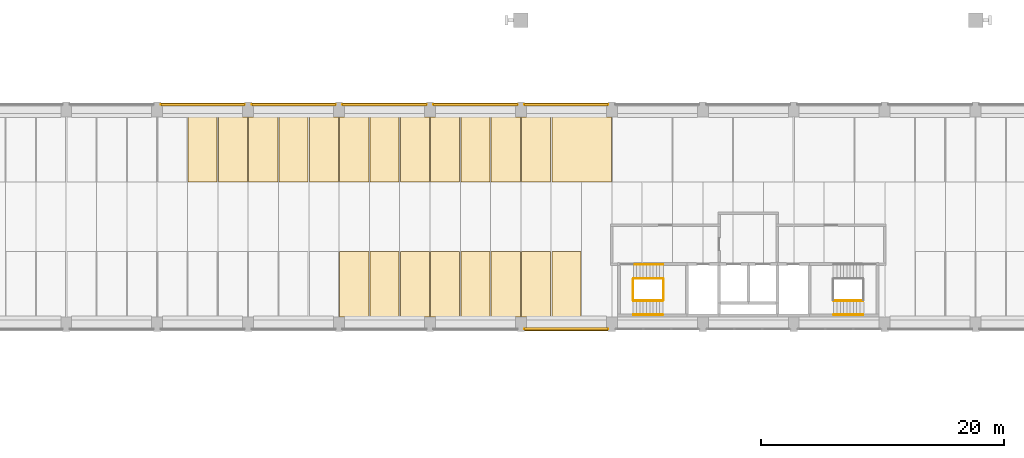
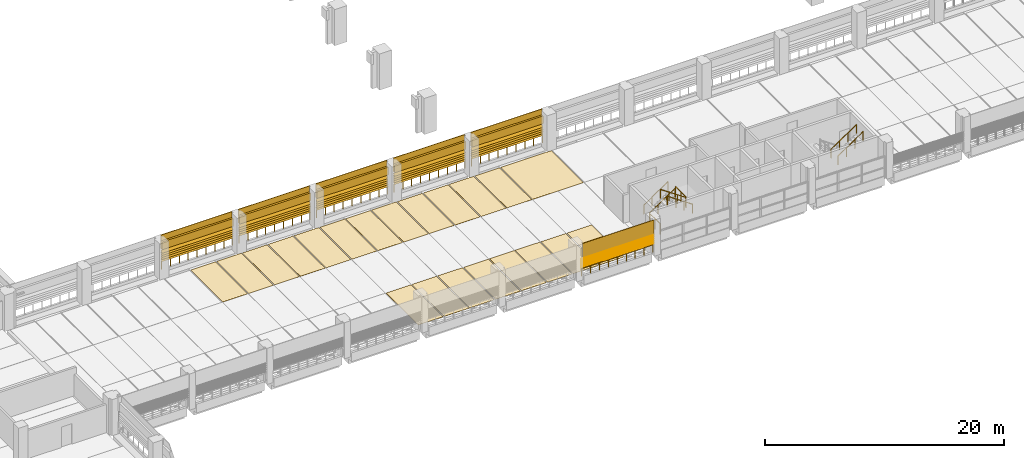
# One storey, part 41 of 57: 30 shading devices, 27 coverings, 14 railings.
"""IFC4 building model written with IfcOpenShell, lengths in metres."""

from ifc_helpers import new_model, si_unit, direction, frame, origin, origin_2d, place, context, subcontext, project, spatial, polyline, circle, outline, extrude, material, layer, layer_set, type_object, element, save


model = new_model("IFC4")

# Units and contexts
model_context = context("Model", 3, precision=1e-05, world=origin(), true_north=direction((0.0, 1.0)))
body_context = subcontext(model_context, "Body", "Model", "MODEL_VIEW")
ifc_project = project(units=[si_unit("LENGTHUNIT", "METRE"), si_unit("AREAUNIT", "SQUARE_METRE"), si_unit("VOLUMEUNIT", "CUBIC_METRE"), si_unit("PLANEANGLEUNIT", "RADIAN"), si_unit("MASSUNIT", "GRAM", prefix="KILO")], contexts=[model_context])

# Site, building, storey
site_placement = place(None, origin())
site = spatial("IfcSite", under=ifc_project, at=site_placement, CompositionType="ELEMENT")
building_placement = place(site_placement, origin())
building = spatial("IfcBuilding", under=site, at=building_placement, Name="Cour d'Honneur Mobility Palace", CompositionType="ELEMENT")
storey_placement = place(building_placement, frame((0.0, 0.0, 8.199951171875)))
storey = spatial("IfcBuildingStorey", under=building, at=storey_placement, Name="L02", CompositionType="ELEMENT", Elevation=8.199951171875)

# Covering
ifc_material_1 = material(Name="Accessible bay marking paint")
ifc_layer_1 = layer(ifc_material_1, 0.0048828125)
ifc_layer_set_1 = layer_set([ifc_layer_1], Name="Accessible bay marking paint")
covering_type_1 = type_object("IfcCoveringType", Name="Accessible parking bay marking", PredefinedType="FLOORING", material=ifc_layer_set_1)
covering_1_placement = place(storey_placement, origin())
element("IfcCovering", 1, at=covering_1_placement, inside=storey, type_object=covering_type_1, Name="Accessible parking bay marking L02 1", PredefinedType="FLOORING", context=body_context, shape_type="SweptSolid", body=[
    extrude(outline(polyline([(64.949951171875, 56.550048828125), (64.949951171875, 61.949951171875), (69.85009765625, 61.949951171875), (69.85009765625, 56.550048828125), (64.949951171875, 56.550048828125)])), origin(), (0.0, 0.0, 1.0), 0.005126953125),
])

# Railings
ifc_material_2 = material(Name="Painted steel", Category="steel")
railing_type_1 = type_object("IfcRailingType", Name="Balustrade", PredefinedType="BALUSTRADE", material=ifc_material_2)
railing_1_placement = place(storey_placement, frame((62.699951171875, 44.449951171875, 0.300048828125)))
element("IfcRailing", 2, at=railing_1_placement, inside=storey, type_object=railing_type_1, Name="Balustrade BAL-80", PredefinedType="BALUSTRADE", context=body_context, shape_type="SweptSolid", body=[
    extrude(circle(Radius=0.02392578125, at=origin_2d()), frame((0.0, 0.0, 0.77587890625), z_axis=(1.0, 0.0, 0.0), x_axis=(0.0, 1.0, 0.0)), (0.0, 0.0, 1.0), 6.900146484375),
    extrude(circle(Radius=0.02099609375, at=origin_2d()), origin(), (0.0, 0.0, 1.0), 0.751953125),
    extrude(circle(Radius=0.02099609375, at=origin_2d()), frame((0.862548828125, 0.0, 0.0)), (0.0, 0.0, 1.0), 0.751953125),
    extrude(circle(Radius=0.02099609375, at=origin_2d()), frame((1.72509765625, 0.0, 0.0)), (0.0, 0.0, 1.0), 0.751953125),
    extrude(circle(Radius=0.02099609375, at=origin_2d()), frame((2.587646484375, 0.0, 0.0)), (0.0, 0.0, 1.0), 0.751953125),
    extrude(circle(Radius=0.02099609375, at=origin_2d()), frame((3.4501953125, 0.0, 0.0)), (0.0, 0.0, 1.0), 0.751953125),
    extrude(circle(Radius=0.02099609375, at=origin_2d()), frame((4.3125, 0.0, 0.0)), (0.0, 0.0, 1.0), 0.751953125),
    extrude(circle(Radius=0.02099609375, at=origin_2d()), frame((5.175048828125, 0.0, 0.0)), (0.0, 0.0, 1.0), 0.751953125),
    extrude(circle(Radius=0.02099609375, at=origin_2d()), frame((6.03759765625, 0.0, 0.0)), (0.0, 0.0, 1.0), 0.751953125),
    extrude(circle(Radius=0.02099609375, at=origin_2d()), frame((6.900146484375, 0.0, 0.0)), (0.0, 0.0, 1.0), 0.751953125),
])
for number, where, name in (
    (3, (69.60009765625, 62.949951171875, 0.300048828125), "Balustrade BAL-115"),
    (4, (62.10009765625, 62.949951171875, 0.300048828125), "Balustrade BAL-116"),
    (5, (54.60009765625, 62.949951171875, 0.300048828125), "Balustrade BAL-117"),
    (6, (47.10009765625, 62.949951171875, 0.300048828125), "Balustrade BAL-118"),
    (7, (39.60009765625, 62.949951171875, 0.300048828125), "Balustrade BAL-119"),
):
    element("IfcRailing", number, at=place(storey_placement, frame(where)), inside=storey, type_object=railing_type_1, Name=name, PredefinedType="BALUSTRADE", context=body_context, shape_type="SweptSolid", body=[
        extrude(circle(Radius=0.02392578125, at=origin_2d()), frame((0.0, 0.0, 0.77587890625), z_axis=(-1.0, 0.0, 0.0), x_axis=(0.0, -1.0, 0.0)), (0.0, 0.0, 1.0), 6.900146484375),
        extrude(circle(Radius=0.02099609375, at=origin_2d()), origin(), (0.0, 0.0, 1.0), 0.751953125),
        extrude(circle(Radius=0.02099609375, at=origin_2d()), frame((-0.862548828125, 0.0, 0.0)), (0.0, 0.0, 1.0), 0.751953125),
        extrude(circle(Radius=0.02099609375, at=origin_2d()), frame((-1.72509765625, 0.0, 0.0)), (0.0, 0.0, 1.0), 0.751953125),
        extrude(circle(Radius=0.02099609375, at=origin_2d()), frame((-2.587646484375, 0.0, 0.0)), (0.0, 0.0, 1.0), 0.751953125),
        extrude(circle(Radius=0.02099609375, at=origin_2d()), frame((-3.4501953125, 0.0, 0.0)), (0.0, 0.0, 1.0), 0.751953125),
        extrude(circle(Radius=0.02099609375, at=origin_2d()), frame((-4.3125, 0.0, 0.0)), (0.0, 0.0, 1.0), 0.751953125),
        extrude(circle(Radius=0.02099609375, at=origin_2d()), frame((-5.175048828125, 0.0, 0.0)), (0.0, 0.0, 1.0), 0.751953125),
        extrude(circle(Radius=0.02099609375, at=origin_2d()), frame((-6.03759765625, 0.0, 0.0)), (0.0, 0.0, 1.0), 0.751953125),
        extrude(circle(Radius=0.02099609375, at=origin_2d()), frame((-6.900146484375, 0.0, 0.0)), (0.0, 0.0, 1.0), 0.751953125),
    ])
ifc_material_3 = material(Name="Painted steel", Category="steel")
railing_type_2 = type_object("IfcRailingType", Name="Guardrail 1100", PredefinedType="GUARDRAIL", material=ifc_material_3)
for number, where, name in (
    (8, (71.655029296875, 46.824951171875, 0.0), "Guard ST-CC1"),
    (9, (74.1650390625, 46.824951171875, 1.85009765625), "Landing guard ST-CC1"),
):
    element("IfcRailing", number, at=place(storey_placement, frame(where)), inside=storey, type_object=railing_type_2, Name=name, PredefinedType="GUARDRAIL", context=body_context, shape_type="SweptSolid", body=[
        extrude(circle(Radius=0.02490234375, at=origin_2d()), frame((0.0, 0.0, 1.0751953125), z_axis=(0.0, 1.0, 0.0), x_axis=(-1.0, 0.0, 0.0)), (0.0, 0.0, 1.0), 1.72509765625),
        extrude(circle(Radius=0.02099609375, at=origin_2d()), origin(), (0.0, 0.0, 1.0), 1.050048828125),
        extrude(circle(Radius=0.02099609375, at=origin_2d()), frame((0.0, 0.862548828125, 0.0)), (0.0, 0.0, 1.0), 1.050048828125),
        extrude(circle(Radius=0.02099609375, at=origin_2d()), frame((0.0, 1.72509765625, 0.0)), (0.0, 0.0, 1.0), 1.050048828125),
    ])
ifc_material_4 = material(Name="Stainless steel", Category="steel")
railing_type_3 = type_object("IfcRailingType", Name="Handrail round 50", PredefinedType="HANDRAIL", material=ifc_material_4)
railing_2_placement = place(storey_placement, frame((71.77490234375, 49.75, 0.253662109375)))
element("IfcRailing", 10, at=railing_2_placement, inside=storey, type_object=railing_type_3, Name="Handrail ST-CC1", PredefinedType="HANDRAIL", context=body_context, shape_type="SweptSolid", body=[
    extrude(circle(Radius=0.02490234375, at=origin_2d()), frame((0.0, 0.0, 0.89501953125), z_axis=(0.824948791859, 0.0, 0.565207475898), x_axis=(0.0, 1.0, 0.0)), (0.0, 0.0, 1.0), 2.824462890625),
    extrude(circle(Radius=0.02099609375, at=origin_2d()), origin(), (0.0, 0.0, 1.0), 0.869873046875),
    extrude(circle(Radius=0.02099609375, at=origin_2d()), frame((0.776611328125, 0.0, 0.5322265625)), (0.0, 0.0, 1.0), 0.869873046875),
    extrude(circle(Radius=0.02099609375, at=origin_2d()), frame((1.553466796875, 0.0, 1.064208984375)), (0.0, 0.0, 1.0), 0.869873046875),
    extrude(circle(Radius=0.02099609375, at=origin_2d()), frame((2.330078125, 0.0, 1.596435546875)), (0.0, 0.0, 1.0), 0.869873046875),
])
railing_3_placement = place(storey_placement, frame((71.675048828125, 48.60009765625, 0.18505859375)))
element("IfcRailing", 11, at=railing_3_placement, inside=storey, type_object=railing_type_3, Name="Handrail ST-CC1", PredefinedType="HANDRAIL", context=body_context, shape_type="SweptSolid", body=[
    extrude(circle(Radius=0.02490234375, at=origin_2d()), frame((0.0, 0.0, 0.89501953125), z_axis=(0.8249187745, 0.0, 0.56525128525), x_axis=(0.0, 1.0, 0.0)), (0.0, 0.0, 1.0), 2.945556640625),
    extrude(circle(Radius=0.02099609375, at=origin_2d()), origin(), (0.0, 0.0, 1.0), 0.869873046875),
    extrude(circle(Radius=0.02099609375, at=origin_2d()), frame((0.81005859375, 0.0, 0.554931640625)), (0.0, 0.0, 1.0), 0.869873046875),
    extrude(circle(Radius=0.02099609375, at=origin_2d()), frame((1.619873046875, 0.0, 1.110107421875)), (0.0, 0.0, 1.0), 0.869873046875),
    extrude(circle(Radius=0.02099609375, at=origin_2d()), frame((2.429931640625, 0.0, 1.6650390625)), (0.0, 0.0, 1.0), 0.869873046875),
])
for number, where, name in (
    (12, (74.10498046875, 46.77490234375, 2.03515625), "Handrail ST-CC1"),
    (13, (74.10498046875, 45.625, 2.03515625), "Handrail ST-CC1"),
):
    element("IfcRailing", number, at=place(storey_placement, frame(where)), inside=storey, type_object=railing_type_3, Name=name, PredefinedType="HANDRAIL", context=body_context, shape_type="SweptSolid", body=[
        extrude(circle(Radius=0.02490234375, at=origin_2d()), frame((0.0, 0.0, 0.89501953125), z_axis=(-0.824957420862, 0.0, 0.565194881227), x_axis=(0.0, -1.0, 0.0)), (0.0, 0.0, 1.0), 2.945556640625),
        extrude(circle(Radius=0.02099609375, at=origin_2d()), origin(), (0.0, 0.0, 1.0), 0.869873046875),
        extrude(circle(Radius=0.02099609375, at=origin_2d()), frame((-0.81005859375, 0.0, 0.554931640625)), (0.0, 0.0, 1.0), 0.869873046875),
        extrude(circle(Radius=0.02099609375, at=origin_2d()), frame((-1.619873046875, 0.0, 1.10986328125)), (0.0, 0.0, 1.0), 0.869873046875),
        extrude(circle(Radius=0.02099609375, at=origin_2d()), frame((-2.429931640625, 0.0, 1.664794921875)), (0.0, 0.0, 1.0), 0.869873046875),
    ])
for number, where, name in (
    (14, (88.195068359375, 46.77490234375, 2.03515625), "Handrail ST-CC2"),
    (15, (88.195068359375, 45.625, 2.03515625), "Handrail ST-CC2"),
):
    element("IfcRailing", number, at=place(storey_placement, frame(where)), inside=storey, type_object=railing_type_3, Name=name, PredefinedType="HANDRAIL", context=body_context, shape_type="SweptSolid", body=[
        extrude(circle(Radius=0.02490234375, at=origin_2d()), frame((0.0, 0.0, 0.89501953125), z_axis=(0.824957420862, 0.0, 0.565194881227), x_axis=(0.0, 1.0, 0.0)), (0.0, 0.0, 1.0), 2.945556640625),
        extrude(circle(Radius=0.02099609375, at=origin_2d()), origin(), (0.0, 0.0, 1.0), 0.869873046875),
        extrude(circle(Radius=0.02099609375, at=origin_2d()), frame((0.81005859375, 0.0, 0.554931640625)), (0.0, 0.0, 1.0), 0.869873046875),
        extrude(circle(Radius=0.02099609375, at=origin_2d()), frame((1.619873046875, 0.0, 1.10986328125)), (0.0, 0.0, 1.0), 0.869873046875),
        extrude(circle(Radius=0.02099609375, at=origin_2d()), frame((2.429931640625, 0.0, 1.664794921875)), (0.0, 0.0, 1.0), 0.869873046875),
    ])

# Coverings
ifc_material_5 = material(Name="Parking marking paint")
ifc_layer_2 = layer(ifc_material_5, 0.0048828125)
ifc_layer_set_2 = layer_set([ifc_layer_2], Name="Parking marking paint")
covering_type_2 = type_object("IfcCoveringType", Name="Parking bay marking", PredefinedType="FLOORING", material=ifc_layer_set_2)
covering_2_placement = place(storey_placement, origin())
element("IfcCovering", 16, at=covering_2_placement, inside=storey, type_object=covering_type_2, Name="Parking bay marking L02 2", PredefinedType="FLOORING", context=body_context, shape_type="SweptSolid", body=[
    extrude(outline(polyline([(42.35009765625, 56.550048828125), (39.949951171875, 56.550048828125), (39.949951171875, 61.949951171875), (42.35009765625, 61.949951171875), (42.35009765625, 56.550048828125)])), origin(), (0.0, 0.0, 1.0), 0.005126953125),
])
covering_3_placement = place(storey_placement, origin())
element("IfcCovering", 17, at=covering_3_placement, inside=storey, type_object=covering_type_2, Name="Parking bay marking L02 3", PredefinedType="FLOORING", context=body_context, shape_type="SweptSolid", body=[
    extrude(outline(polyline([(44.85009765625, 56.550048828125), (42.449951171875, 56.550048828125), (42.449951171875, 61.949951171875), (44.85009765625, 61.949951171875), (44.85009765625, 56.550048828125)])), origin(), (0.0, 0.0, 1.0), 0.005126953125),
])
covering_4_placement = place(storey_placement, origin())
element("IfcCovering", 18, at=covering_4_placement, inside=storey, type_object=covering_type_2, Name="Parking bay marking L02 4", PredefinedType="FLOORING", context=body_context, shape_type="SweptSolid", body=[
    extrude(outline(polyline([(47.35009765625, 56.550048828125), (44.949951171875, 56.550048828125), (44.949951171875, 61.949951171875), (47.35009765625, 61.949951171875), (47.35009765625, 56.550048828125)])), origin(), (0.0, 0.0, 1.0), 0.005126953125),
])
covering_5_placement = place(storey_placement, origin())
element("IfcCovering", 19, at=covering_5_placement, inside=storey, type_object=covering_type_2, Name="Parking bay marking L02 5", PredefinedType="FLOORING", context=body_context, shape_type="SweptSolid", body=[
    extrude(outline(polyline([(49.85009765625, 56.550048828125), (47.449951171875, 56.550048828125), (47.449951171875, 61.949951171875), (49.85009765625, 61.949951171875), (49.85009765625, 56.550048828125)])), origin(), (0.0, 0.0, 1.0), 0.005126953125),
])
covering_6_placement = place(storey_placement, origin())
element("IfcCovering", 20, at=covering_6_placement, inside=storey, type_object=covering_type_2, Name="Parking bay marking L02 6", PredefinedType="FLOORING", context=body_context, shape_type="SweptSolid", body=[
    extrude(outline(polyline([(52.35009765625, 56.550048828125), (49.949951171875, 56.550048828125), (49.949951171875, 61.949951171875), (52.35009765625, 61.949951171875), (52.35009765625, 56.550048828125)])), origin(), (0.0, 0.0, 1.0), 0.005126953125),
])
covering_7_placement = place(storey_placement, origin())
element("IfcCovering", 21, at=covering_7_placement, inside=storey, type_object=covering_type_2, Name="Parking bay marking L02 7", PredefinedType="FLOORING", context=body_context, shape_type="SweptSolid", body=[
    extrude(outline(polyline([(54.85009765625, 56.550048828125), (52.449951171875, 56.550048828125), (52.449951171875, 61.949951171875), (54.85009765625, 61.949951171875), (54.85009765625, 56.550048828125)])), origin(), (0.0, 0.0, 1.0), 0.005126953125),
])
covering_8_placement = place(storey_placement, origin())
element("IfcCovering", 22, at=covering_8_placement, inside=storey, type_object=covering_type_2, Name="Parking bay marking L02 8", PredefinedType="FLOORING", context=body_context, shape_type="SweptSolid", body=[
    extrude(outline(polyline([(57.35009765625, 56.550048828125), (54.949951171875, 56.550048828125), (54.949951171875, 61.949951171875), (57.35009765625, 61.949951171875), (57.35009765625, 56.550048828125)])), origin(), (0.0, 0.0, 1.0), 0.005126953125),
])
covering_9_placement = place(storey_placement, origin())
element("IfcCovering", 23, at=covering_9_placement, inside=storey, type_object=covering_type_2, Name="Parking bay marking L02 9", PredefinedType="FLOORING", context=body_context, shape_type="SweptSolid", body=[
    extrude(outline(polyline([(59.85009765625, 56.550048828125), (57.449951171875, 56.550048828125), (57.449951171875, 61.949951171875), (59.85009765625, 61.949951171875), (59.85009765625, 56.550048828125)])), origin(), (0.0, 0.0, 1.0), 0.005126953125),
])
covering_10_placement = place(storey_placement, origin())
element("IfcCovering", 24, at=covering_10_placement, inside=storey, type_object=covering_type_2, Name="Parking bay marking L02 10", PredefinedType="FLOORING", context=body_context, shape_type="SweptSolid", body=[
    extrude(outline(polyline([(62.35009765625, 56.550048828125), (59.949951171875, 56.550048828125), (59.949951171875, 61.949951171875), (62.35009765625, 61.949951171875), (62.35009765625, 56.550048828125)])), origin(), (0.0, 0.0, 1.0), 0.005126953125),
])
covering_11_placement = place(storey_placement, origin())
element("IfcCovering", 25, at=covering_11_placement, inside=storey, type_object=covering_type_2, Name="Parking bay marking L02 11", PredefinedType="FLOORING", context=body_context, shape_type="SweptSolid", body=[
    extrude(outline(polyline([(64.85009765625, 56.550048828125), (62.449951171875, 56.550048828125), (62.449951171875, 61.949951171875), (64.85009765625, 61.949951171875), (64.85009765625, 56.550048828125)])), origin(), (0.0, 0.0, 1.0), 0.005126953125),
])
covering_12_placement = place(storey_placement, origin())
element("IfcCovering", 26, at=covering_12_placement, inside=storey, type_object=covering_type_2, Name="Parking bay marking L02 38", PredefinedType="FLOORING", context=body_context, shape_type="SweptSolid", body=[
    extrude(outline(polyline([(37.35009765625, 56.550048828125), (34.949951171875, 56.550048828125), (34.949951171875, 61.949951171875), (37.35009765625, 61.949951171875), (37.35009765625, 56.550048828125)])), origin(), (0.0, 0.0, 1.0), 0.005126953125),
])
covering_13_placement = place(storey_placement, origin())
element("IfcCovering", 27, at=covering_13_placement, inside=storey, type_object=covering_type_2, Name="Parking bay marking L02 39", PredefinedType="FLOORING", context=body_context, shape_type="SweptSolid", body=[
    extrude(outline(polyline([(39.85009765625, 56.550048828125), (37.449951171875, 56.550048828125), (37.449951171875, 61.949951171875), (39.85009765625, 61.949951171875), (39.85009765625, 56.550048828125)])), origin(), (0.0, 0.0, 1.0), 0.005126953125),
])
covering_14_placement = place(storey_placement, origin())
element("IfcCovering", 28, at=covering_14_placement, inside=storey, type_object=covering_type_2, Name="Parking bay marking L02 43", PredefinedType="FLOORING", context=body_context, shape_type="SweptSolid", body=[
    extrude(outline(polyline([(49.85009765625, 45.449951171875), (47.449951171875, 45.449951171875), (47.449951171875, 50.85009765625), (49.85009765625, 50.85009765625), (49.85009765625, 45.449951171875)])), origin(), (0.0, 0.0, 1.0), 0.005126953125),
])
covering_15_placement = place(storey_placement, origin())
element("IfcCovering", 29, at=covering_15_placement, inside=storey, type_object=covering_type_2, Name="Parking bay marking L02 44", PredefinedType="FLOORING", context=body_context, shape_type="SweptSolid", body=[
    extrude(outline(polyline([(52.35009765625, 45.449951171875), (49.949951171875, 45.449951171875), (49.949951171875, 50.85009765625), (52.35009765625, 50.85009765625), (52.35009765625, 45.449951171875)])), origin(), (0.0, 0.0, 1.0), 0.005126953125),
])
covering_16_placement = place(storey_placement, origin())
element("IfcCovering", 30, at=covering_16_placement, inside=storey, type_object=covering_type_2, Name="Parking bay marking L02 45", PredefinedType="FLOORING", context=body_context, shape_type="SweptSolid", body=[
    extrude(outline(polyline([(54.85009765625, 45.449951171875), (52.449951171875, 45.449951171875), (52.449951171875, 50.85009765625), (54.85009765625, 50.85009765625), (54.85009765625, 45.449951171875)])), origin(), (0.0, 0.0, 1.0), 0.005126953125),
])
covering_17_placement = place(storey_placement, origin())
element("IfcCovering", 31, at=covering_17_placement, inside=storey, type_object=covering_type_2, Name="Parking bay marking L02 46", PredefinedType="FLOORING", context=body_context, shape_type="SweptSolid", body=[
    extrude(outline(polyline([(57.35009765625, 45.449951171875), (54.949951171875, 45.449951171875), (54.949951171875, 50.85009765625), (57.35009765625, 50.85009765625), (57.35009765625, 45.449951171875)])), origin(), (0.0, 0.0, 1.0), 0.005126953125),
])
covering_18_placement = place(storey_placement, origin())
element("IfcCovering", 32, at=covering_18_placement, inside=storey, type_object=covering_type_2, Name="Parking bay marking L02 47", PredefinedType="FLOORING", context=body_context, shape_type="SweptSolid", body=[
    extrude(outline(polyline([(59.85009765625, 45.449951171875), (57.449951171875, 45.449951171875), (57.449951171875, 50.85009765625), (59.85009765625, 50.85009765625), (59.85009765625, 45.449951171875)])), origin(), (0.0, 0.0, 1.0), 0.005126953125),
])
covering_19_placement = place(storey_placement, origin())
element("IfcCovering", 33, at=covering_19_placement, inside=storey, type_object=covering_type_2, Name="Parking bay marking L02 48", PredefinedType="FLOORING", context=body_context, shape_type="SweptSolid", body=[
    extrude(outline(polyline([(62.35009765625, 45.449951171875), (59.949951171875, 45.449951171875), (59.949951171875, 50.85009765625), (62.35009765625, 50.85009765625), (62.35009765625, 45.449951171875)])), origin(), (0.0, 0.0, 1.0), 0.005126953125),
])
covering_20_placement = place(storey_placement, origin())
element("IfcCovering", 34, at=covering_20_placement, inside=storey, type_object=covering_type_2, Name="Parking bay marking L02 49", PredefinedType="FLOORING", context=body_context, shape_type="SweptSolid", body=[
    extrude(outline(polyline([(64.85009765625, 45.449951171875), (62.449951171875, 45.449951171875), (62.449951171875, 50.85009765625), (64.85009765625, 50.85009765625), (64.85009765625, 45.449951171875)])), origin(), (0.0, 0.0, 1.0), 0.005126953125),
])
covering_21_placement = place(storey_placement, origin())
element("IfcCovering", 35, at=covering_21_placement, inside=storey, type_object=covering_type_2, Name="Parking bay marking L02 51", PredefinedType="FLOORING", context=body_context, shape_type="SweptSolid", body=[
    extrude(outline(polyline([(67.35009765625, 45.449951171875), (64.949951171875, 45.449951171875), (64.949951171875, 50.85009765625), (67.35009765625, 50.85009765625), (67.35009765625, 45.449951171875)])), origin(), (0.0, 0.0, 1.0), 0.005126953125),
])
ifc_material_6 = material(Name="Cast limestone", Category="masonry")
ifc_layer_3 = layer(ifc_material_6, 0.25)
ifc_layer_set_3 = layer_set([ifc_layer_3], Name="Cast limestone")
covering_type_3 = type_object("IfcCoveringType", Name="Spandrel cladding", PredefinedType="CLADDING", material=ifc_layer_set_3)
for number, where, z_axis, x_axis, name in (
    (36, (62.699951171875, 44.550048828125, 2.300048828125), (-1.0, 0.0, 0.0), (0.0, -1.0, 0.0), "Spandrel cladding SK-149"),
    (37, (69.60009765625, 62.85009765625, 2.300048828125), (1.0, 0.0, 0.0), (0.0, 1.0, 0.0), "Spandrel cladding SK-186"),
    (38, (62.10009765625, 62.85009765625, 2.300048828125), (1.0, 0.0, 0.0), (0.0, 1.0, 0.0), "Spandrel cladding SK-187"),
    (39, (54.60009765625, 62.85009765625, 2.300048828125), (1.0, 0.0, 0.0), (0.0, 1.0, 0.0), "Spandrel cladding SK-188"),
    (40, (47.10009765625, 62.85009765625, 2.300048828125), (1.0, 0.0, 0.0), (0.0, 1.0, 0.0), "Spandrel cladding SK-189"),
    (41, (39.60009765625, 62.85009765625, 2.300048828125), (1.0, 0.0, 0.0), (0.0, 1.0, 0.0), "Spandrel cladding SK-190"),
):
    element("IfcCovering", number, at=place(storey_placement, frame(where, z_axis=z_axis, x_axis=x_axis)), inside=storey, type_object=covering_type_3, Name=name, PredefinedType="CLADDING", context=body_context, shape_type="SweptSolid", body=[
        extrude(outline(polyline([(0.0, 0.0), (0.25, 0.0), (0.25, 1.39990234375), (0.199951171875, 1.39990234375), (0.199951171875, 0.800048828125), (0.0, 0.800048828125), (0.0, 0.0)])), origin(), (0.0, 0.0, -1.0), 6.89990234375),
    ])

# Shading devices
ifc_material_7 = material(Name="Terracotta", Category="masonry")
ifc_layer_4 = layer(ifc_material_7, 0.02490234375)
ifc_layer_set_4 = layer_set([ifc_layer_4], Name="Terracotta")
shading_device_type = type_object("IfcShadingDeviceType", Name="Terracotta louvre blade", PredefinedType="JALOUSIE", material=ifc_layer_set_4)
for number, where, z_axis, x_axis, name in (
    (42, (62.699951171875, 44.55615234375, 1.10009765625), (0.0, 0.707106781187, 0.707106781187), (1.0, 0.0, 0.0), "Louvre blade LV-1 S2.6 L02 1"),
    (43, (62.699951171875, 44.55615234375, 1.312255859375), (0.0, 0.707106781187, 0.707106781187), (1.0, 0.0, 0.0), "Louvre blade LV-1 S2.6 L02 2"),
):
    element("IfcShadingDevice", number, at=place(storey_placement, frame(where, z_axis=z_axis, x_axis=x_axis)), inside=storey, type_object=shading_device_type, Name=name, PredefinedType="JALOUSIE", context=body_context, shape_type="SweptSolid", body=[
        extrude(outline(polyline([(0.0, 0.0), (6.900146484375, 0.0), (6.900146484375, -0.300037008228081), (0.0, -0.300037008228081), (0.0, 0.0)])), origin(), (0.0, 0.0, -1.0), 0.02490234375),
    ])
shading_device_1_placement = place(storey_placement, frame((62.699951171875, 44.55615234375, 1.5244140625), z_axis=(0.0, 0.706699578995, 0.707513749017), x_axis=(1.0, 0.0, 0.0)))
element("IfcShadingDevice", 44, at=shading_device_1_placement, inside=storey, type_object=shading_device_type, Name="Louvre blade LV-1 S2.6 L02 3", PredefinedType="JALOUSIE", context=body_context, shape_type="SweptSolid", body=[
    extrude(outline(polyline([(0.0, 0.0), (6.900146484375, 0.0), (6.900146484375, -0.29986442442957895), (0.0, -0.29986442442957895), (0.0, 0.0)])), origin(), (0.0, 0.0, -1.0), 0.02490234375),
])
for number, where, z_axis, x_axis, name in (
    (45, (62.699951171875, 44.55615234375, 1.736328125), (0.0, 0.707106781187, 0.707106781187), (1.0, 0.0, 0.0), "Louvre blade LV-1 S2.6 L02 4"),
    (46, (62.699951171875, 44.55615234375, 1.948486328125), (0.0, 0.707106781187, 0.707106781187), (1.0, 0.0, 0.0), "Louvre blade LV-1 S2.6 L02 5"),
    (47, (69.60009765625, 62.843994140625, 1.10009765625), (0.0, -0.707106781187, 0.707106781187), (-1.0, 0.0, 0.0), "Louvre blade LV-1 N8.10 L02 1"),
    (48, (69.60009765625, 62.843994140625, 1.312255859375), (0.0, -0.707106781187, 0.707106781187), (-1.0, 0.0, 0.0), "Louvre blade LV-1 N8.10 L02 2"),
):
    element("IfcShadingDevice", number, at=place(storey_placement, frame(where, z_axis=z_axis, x_axis=x_axis)), inside=storey, type_object=shading_device_type, Name=name, PredefinedType="JALOUSIE", context=body_context, shape_type="SweptSolid", body=[
        extrude(outline(polyline([(0.0, 0.0), (6.900146484375, 0.0), (6.900146484375, -0.300037008228081), (0.0, -0.300037008228081), (0.0, 0.0)])), origin(), (0.0, 0.0, -1.0), 0.02490234375),
    ])
shading_device_2_placement = place(storey_placement, frame((69.60009765625, 62.843994140625, 1.5244140625), z_axis=(0.0, -0.706699578995, 0.707513749017), x_axis=(-1.0, 0.0, 0.0)))
element("IfcShadingDevice", 49, at=shading_device_2_placement, inside=storey, type_object=shading_device_type, Name="Louvre blade LV-1 N8.10 L02 3", PredefinedType="JALOUSIE", context=body_context, shape_type="SweptSolid", body=[
    extrude(outline(polyline([(0.0, 0.0), (6.900146484375, 0.0), (6.900146484375, -0.29986442442957895), (0.0, -0.29986442442957895), (0.0, 0.0)])), origin(), (0.0, 0.0, -1.0), 0.02490234375),
])
for number, where, z_axis, x_axis, name in (
    (50, (69.60009765625, 62.843994140625, 1.736328125), (0.0, -0.707106781187, 0.707106781187), (-1.0, 0.0, 0.0), "Louvre blade LV-1 N8.10 L02 4"),
    (51, (69.60009765625, 62.843994140625, 1.948486328125), (0.0, -0.707106781187, 0.707106781187), (-1.0, 0.0, 0.0), "Louvre blade LV-1 N8.10 L02 5"),
    (52, (62.10009765625, 62.843994140625, 1.10009765625), (0.0, -0.707106781187, 0.707106781187), (-1.0, 0.0, 0.0), "Louvre blade LV-1 N8.11 L02 1"),
    (53, (62.10009765625, 62.843994140625, 1.312255859375), (0.0, -0.707106781187, 0.707106781187), (-1.0, 0.0, 0.0), "Louvre blade LV-1 N8.11 L02 2"),
):
    element("IfcShadingDevice", number, at=place(storey_placement, frame(where, z_axis=z_axis, x_axis=x_axis)), inside=storey, type_object=shading_device_type, Name=name, PredefinedType="JALOUSIE", context=body_context, shape_type="SweptSolid", body=[
        extrude(outline(polyline([(0.0, 0.0), (6.900146484375, 0.0), (6.900146484375, -0.300037008228081), (0.0, -0.300037008228081), (0.0, 0.0)])), origin(), (0.0, 0.0, -1.0), 0.02490234375),
    ])
shading_device_3_placement = place(storey_placement, frame((62.10009765625, 62.843994140625, 1.5244140625), z_axis=(0.0, -0.706699578995, 0.707513749017), x_axis=(-1.0, 0.0, 0.0)))
element("IfcShadingDevice", 54, at=shading_device_3_placement, inside=storey, type_object=shading_device_type, Name="Louvre blade LV-1 N8.11 L02 3", PredefinedType="JALOUSIE", context=body_context, shape_type="SweptSolid", body=[
    extrude(outline(polyline([(0.0, 0.0), (6.900146484375, 0.0), (6.900146484375, -0.29986442442957895), (0.0, -0.29986442442957895), (0.0, 0.0)])), origin(), (0.0, 0.0, -1.0), 0.02490234375),
])
for number, where, z_axis, x_axis, name in (
    (55, (62.10009765625, 62.843994140625, 1.736328125), (0.0, -0.707106781187, 0.707106781187), (-1.0, 0.0, 0.0), "Louvre blade LV-1 N8.11 L02 4"),
    (56, (62.10009765625, 62.843994140625, 1.948486328125), (0.0, -0.707106781187, 0.707106781187), (-1.0, 0.0, 0.0), "Louvre blade LV-1 N8.11 L02 5"),
    (57, (54.60009765625, 62.843994140625, 1.10009765625), (0.0, -0.707106781187, 0.707106781187), (-1.0, 0.0, 0.0), "Louvre blade LV-1 N8.12 L02 1"),
    (58, (54.60009765625, 62.843994140625, 1.312255859375), (0.0, -0.707106781187, 0.707106781187), (-1.0, 0.0, 0.0), "Louvre blade LV-1 N8.12 L02 2"),
):
    element("IfcShadingDevice", number, at=place(storey_placement, frame(where, z_axis=z_axis, x_axis=x_axis)), inside=storey, type_object=shading_device_type, Name=name, PredefinedType="JALOUSIE", context=body_context, shape_type="SweptSolid", body=[
        extrude(outline(polyline([(0.0, 0.0), (6.900146484375, 0.0), (6.900146484375, -0.300037008228081), (0.0, -0.300037008228081), (0.0, 0.0)])), origin(), (0.0, 0.0, -1.0), 0.02490234375),
    ])
shading_device_4_placement = place(storey_placement, frame((54.60009765625, 62.843994140625, 1.5244140625), z_axis=(0.0, -0.706699578995, 0.707513749017), x_axis=(-1.0, 0.0, 0.0)))
element("IfcShadingDevice", 59, at=shading_device_4_placement, inside=storey, type_object=shading_device_type, Name="Louvre blade LV-1 N8.12 L02 3", PredefinedType="JALOUSIE", context=body_context, shape_type="SweptSolid", body=[
    extrude(outline(polyline([(0.0, 0.0), (6.900146484375, 0.0), (6.900146484375, -0.29986442442957895), (0.0, -0.29986442442957895), (0.0, 0.0)])), origin(), (0.0, 0.0, -1.0), 0.02490234375),
])
for number, where, z_axis, x_axis, name in (
    (60, (54.60009765625, 62.843994140625, 1.736328125), (0.0, -0.707106781187, 0.707106781187), (-1.0, 0.0, 0.0), "Louvre blade LV-1 N8.12 L02 4"),
    (61, (54.60009765625, 62.843994140625, 1.948486328125), (0.0, -0.707106781187, 0.707106781187), (-1.0, 0.0, 0.0), "Louvre blade LV-1 N8.12 L02 5"),
    (62, (47.10009765625, 62.843994140625, 1.10009765625), (0.0, -0.707106781187, 0.707106781187), (-1.0, 0.0, 0.0), "Louvre blade LV-1 N8.13 L02 1"),
    (63, (47.10009765625, 62.843994140625, 1.312255859375), (0.0, -0.707106781187, 0.707106781187), (-1.0, 0.0, 0.0), "Louvre blade LV-1 N8.13 L02 2"),
):
    element("IfcShadingDevice", number, at=place(storey_placement, frame(where, z_axis=z_axis, x_axis=x_axis)), inside=storey, type_object=shading_device_type, Name=name, PredefinedType="JALOUSIE", context=body_context, shape_type="SweptSolid", body=[
        extrude(outline(polyline([(0.0, 0.0), (6.900146484375, 0.0), (6.900146484375, -0.300037008228081), (0.0, -0.300037008228081), (0.0, 0.0)])), origin(), (0.0, 0.0, -1.0), 0.02490234375),
    ])
shading_device_5_placement = place(storey_placement, frame((47.10009765625, 62.843994140625, 1.5244140625), z_axis=(0.0, -0.706699578995, 0.707513749017), x_axis=(-1.0, 0.0, 0.0)))
element("IfcShadingDevice", 64, at=shading_device_5_placement, inside=storey, type_object=shading_device_type, Name="Louvre blade LV-1 N8.13 L02 3", PredefinedType="JALOUSIE", context=body_context, shape_type="SweptSolid", body=[
    extrude(outline(polyline([(0.0, 0.0), (6.900146484375, 0.0), (6.900146484375, -0.29986442442957895), (0.0, -0.29986442442957895), (0.0, 0.0)])), origin(), (0.0, 0.0, -1.0), 0.02490234375),
])
for number, where, z_axis, x_axis, name in (
    (65, (47.10009765625, 62.843994140625, 1.736328125), (0.0, -0.707106781187, 0.707106781187), (-1.0, 0.0, 0.0), "Louvre blade LV-1 N8.13 L02 4"),
    (66, (47.10009765625, 62.843994140625, 1.948486328125), (0.0, -0.707106781187, 0.707106781187), (-1.0, 0.0, 0.0), "Louvre blade LV-1 N8.13 L02 5"),
    (67, (39.60009765625, 62.843994140625, 1.10009765625), (0.0, -0.707106781187, 0.707106781187), (-1.0, 0.0, 0.0), "Louvre blade LV-1 N8.14 L02 1"),
    (68, (39.60009765625, 62.843994140625, 1.312255859375), (0.0, -0.707106781187, 0.707106781187), (-1.0, 0.0, 0.0), "Louvre blade LV-1 N8.14 L02 2"),
):
    element("IfcShadingDevice", number, at=place(storey_placement, frame(where, z_axis=z_axis, x_axis=x_axis)), inside=storey, type_object=shading_device_type, Name=name, PredefinedType="JALOUSIE", context=body_context, shape_type="SweptSolid", body=[
        extrude(outline(polyline([(0.0, 0.0), (6.900146484375, 0.0), (6.900146484375, -0.300037008228081), (0.0, -0.300037008228081), (0.0, 0.0)])), origin(), (0.0, 0.0, -1.0), 0.02490234375),
    ])
shading_device_6_placement = place(storey_placement, frame((39.60009765625, 62.843994140625, 1.5244140625), z_axis=(0.0, -0.706699578995, 0.707513749017), x_axis=(-1.0, 0.0, 0.0)))
element("IfcShadingDevice", 69, at=shading_device_6_placement, inside=storey, type_object=shading_device_type, Name="Louvre blade LV-1 N8.14 L02 3", PredefinedType="JALOUSIE", context=body_context, shape_type="SweptSolid", body=[
    extrude(outline(polyline([(0.0, 0.0), (6.900146484375, 0.0), (6.900146484375, -0.29986442442957895), (0.0, -0.29986442442957895), (0.0, 0.0)])), origin(), (0.0, 0.0, -1.0), 0.02490234375),
])
for number, where, z_axis, x_axis, name in (
    (70, (39.60009765625, 62.843994140625, 1.736328125), (0.0, -0.707106781187, 0.707106781187), (-1.0, 0.0, 0.0), "Louvre blade LV-1 N8.14 L02 4"),
    (71, (39.60009765625, 62.843994140625, 1.948486328125), (0.0, -0.707106781187, 0.707106781187), (-1.0, 0.0, 0.0), "Louvre blade LV-1 N8.14 L02 5"),
):
    element("IfcShadingDevice", number, at=place(storey_placement, frame(where, z_axis=z_axis, x_axis=x_axis)), inside=storey, type_object=shading_device_type, Name=name, PredefinedType="JALOUSIE", context=body_context, shape_type="SweptSolid", body=[
        extrude(outline(polyline([(0.0, 0.0), (6.900146484375, 0.0), (6.900146484375, -0.300037008228081), (0.0, -0.300037008228081), (0.0, 0.0)])), origin(), (0.0, 0.0, -1.0), 0.02490234375),
    ])

save(model, "model.ifc")
